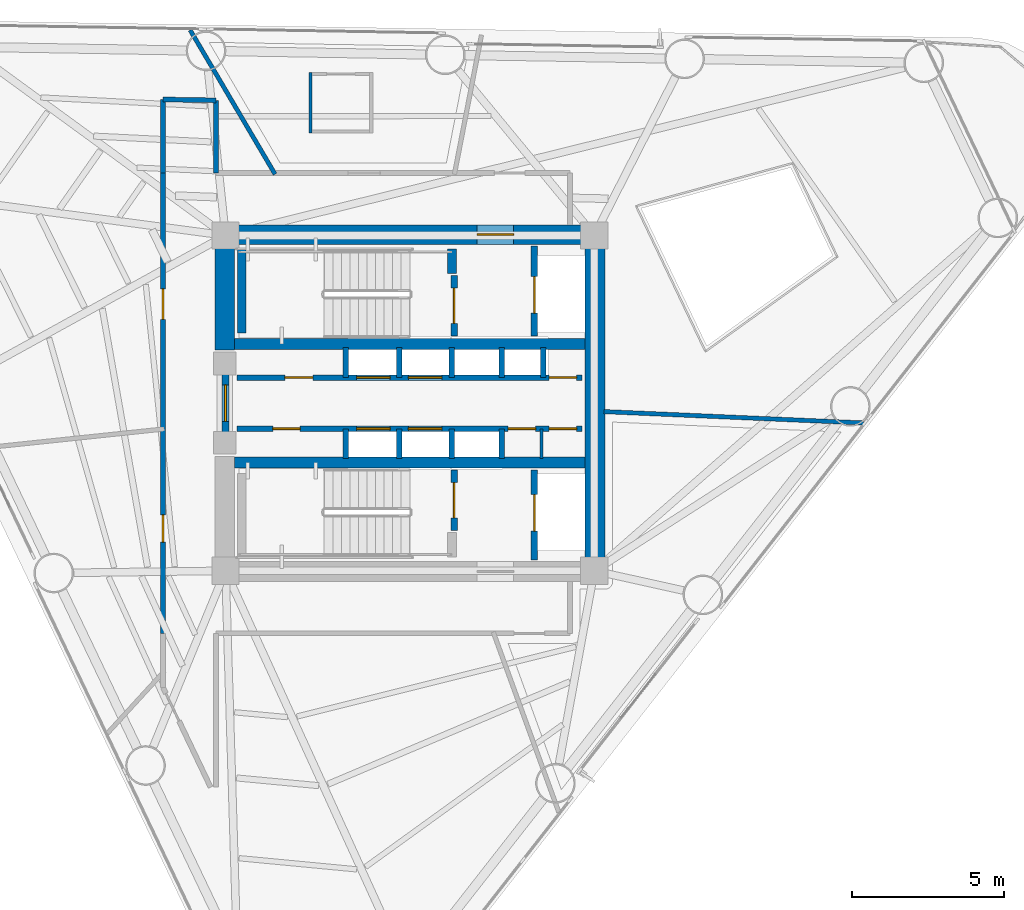
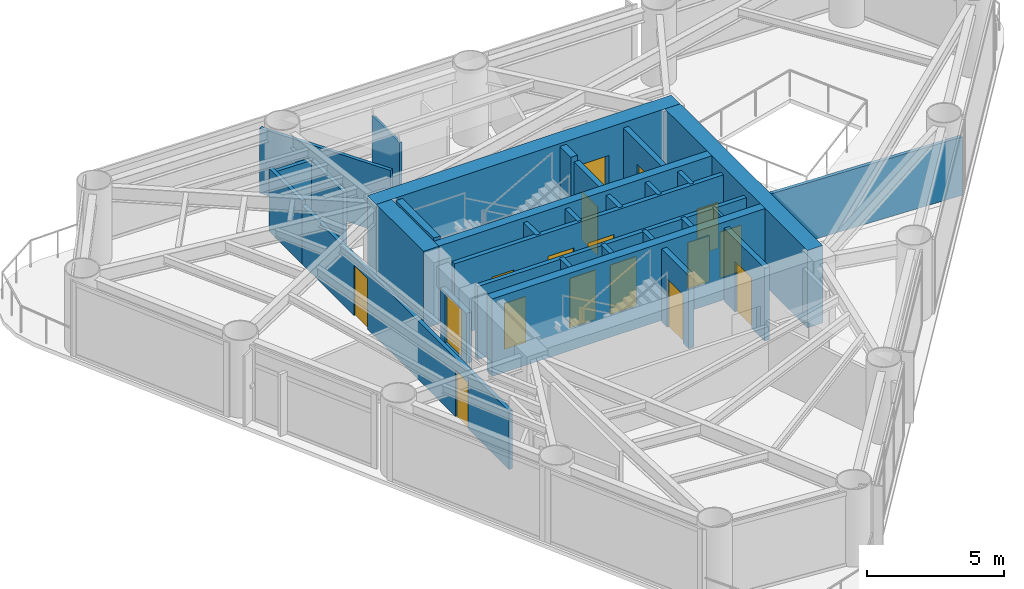
# One storey, part 6 of 10: 31 walls, 17 doors, 17 openings.
"""IFC4 building model written with IfcOpenShell, lengths in metres."""

import ifcopenshell
import ifcopenshell.guid

model = None  # the IFC model being written
_history = None  # IfcOwnerHistory: only IFC2X3 demands one
_inside = {}  # id of a spatial element -> (the spatial element, [elements in it])
_under = {}  # id of a project, library or spatial element -> (it, [spatial elements below it])
_declared = {}  # id of a project -> (the project, [libraries it declares])
_typed = {}  # id of a type object -> (the type object, [elements of that type])
_made_of = {}  # id of a material, layer set ... -> (it, [elements and type objects made of it])


def new_model(schema):
    """Start an empty IFC model of exactly this schema.

    Asked for "IFC4X3", IfcOpenShell would pick the latest addendum, in which some entities
    have other attributes; the version numbers below select the first issue.
    IFC2X3 requires an IfcOwnerHistory on every rooted entity: one is made here for all.
    """
    global model, _history
    if schema == "IFC4X3":
        model = ifcopenshell.file(schema_version=(4, 3, 0, 0))
    else:
        model = ifcopenshell.file(schema=schema)
    _inside.clear()
    _under.clear()
    _declared.clear()
    _typed.clear()
    _made_of.clear()
    _history = None
    if model.schema == "IFC2X3":
        org = make("IfcOrganization", Name="unknown")
        user = make(
            "IfcPersonAndOrganization",
            ThePerson=make("IfcPerson", FamilyName="unknown"),
            TheOrganization=org,
        )
        app = make(
            "IfcApplication",
            ApplicationDeveloper=org,
            Version="unknown",
            ApplicationFullName="unknown",
            ApplicationIdentifier="unknown",
        )
        _history = make(
            "IfcOwnerHistory",
            OwningUser=user,
            OwningApplication=app,
            ChangeAction="ADDED",
            CreationDate=0,
        )
    return model


def make(cls, **values):
    """One entity of the class cls with the attributes given. An attribute that is None is left unset."""
    return model.create_entity(
        cls, **{name: value for name, value in values.items() if value is not None}
    )


def rooted(cls, **values):
    """An entity with a GlobalId (a new one), such as an element, a storey or a relation."""
    return make(cls, GlobalId=ifcopenshell.guid.new(), OwnerHistory=_history, **values)


def si_unit(unit_type, name, prefix=None):
    """IfcSIUnit, for example si_unit("LENGTHUNIT", "METRE", prefix="MILLI")."""
    return make("IfcSIUnit", UnitType=unit_type, Prefix=prefix, Name=name)


def assignment(units):
    """IfcUnitAssignment: the units of a project."""
    return None if units is None else make("IfcUnitAssignment", Units=units)


def point(xyz):
    """IfcCartesianPoint."""
    return None if xyz is None else make("IfcCartesianPoint", Coordinates=xyz)


def direction(xyz):
    """IfcDirection."""
    return None if xyz is None else make("IfcDirection", DirectionRatios=xyz)


def frame(location, z_axis=None, x_axis=None):
    """IfcAxis2Placement3D, a coordinate frame: its origin and axes. An axis left out is left unset."""
    return make(
        "IfcAxis2Placement3D",
        Location=point(location),
        Axis=direction(z_axis),
        RefDirection=direction(x_axis),
    )


def frame_2d(location, x_axis=None):
    """IfcAxis2Placement2D, a coordinate frame in the plane: its origin and x axis."""
    return make(
        "IfcAxis2Placement2D", Location=point(location), RefDirection=direction(x_axis)
    )


def origin():
    """The frame at (0, 0, 0) with its axes left unset."""
    return frame((0.0, 0.0, 0.0))


def place(relative_to, where):
    """IfcLocalPlacement: puts the frame where relative to a parent placement (None: the world)."""
    return make(
        "IfcLocalPlacement", PlacementRelTo=relative_to, RelativePlacement=where
    )


def context(
    kind, dimensions, precision=None, world=None, true_north=None, identifier=None
):
    """IfcGeometricRepresentationContext, for example the 3D "Model" context."""
    return make(
        "IfcGeometricRepresentationContext",
        ContextIdentifier=identifier,
        ContextType=kind,
        CoordinateSpaceDimension=dimensions,
        Precision=precision,
        WorldCoordinateSystem=world,
        TrueNorth=true_north,
    )


def subcontext(parent, identifier, kind, view, scale=None):
    """IfcGeometricRepresentationSubContext, for example "Body" below "Model"."""
    return make(
        "IfcGeometricRepresentationSubContext",
        ContextIdentifier=identifier,
        ContextType=kind,
        ParentContext=parent,
        TargetScale=scale,
        TargetView=view,
    )


def project(units=None, contexts=None):
    """IfcProject with its units and contexts."""
    return rooted(
        "IfcProject",
        Name="project",
        RepresentationContexts=contexts,
        UnitsInContext=assignment(units),
    )


def spatial(cls, under=None, at=None, **own):
    """A site, building, storey or space (cls), placed at a placement, below another one or the project."""
    s = rooted(cls, ObjectPlacement=at, **own)
    if under is not None:
        _under.setdefault(under.id(), (under, []))[1].append(s)
    return s


def profile(cls, at=None, kind="AREA", **sizes):
    """A parametric profile (cls). Its sizes go by their IFC names, for example OverallWidth=200.0."""
    return make(cls, ProfileType=kind, Position=at, **sizes)


def rectangle(**sizes):
    """IfcRectangleProfileDef."""
    return profile("IfcRectangleProfileDef", **sizes)


def extrude(swept, where, along, depth):
    """IfcExtrudedAreaSolid: the profile swept, set in the frame where, extruded along a direction by depth."""
    return make(
        "IfcExtrudedAreaSolid",
        SweptArea=swept,
        Position=where,
        ExtrudedDirection=direction(along),
        Depth=depth,
    )


def shape(context_of_items, identifier, shape_type, items):
    """IfcShapeRepresentation: the items that make up one representation, for example the "Body"."""
    return make(
        "IfcShapeRepresentation",
        ContextOfItems=context_of_items,
        RepresentationIdentifier=identifier,
        RepresentationType=shape_type,
        Items=items,
    )


def material(Name=None, Category=None):
    """IfcMaterial."""
    return make("IfcMaterial", Name=Name, Category=Category)


def layer(
    of_material, thickness, ventilated=None, Name=None, Category=None, Priority=None
):
    """IfcMaterialLayer: one layer of a wall or slab, of a material (None: an air gap)."""
    return make(
        "IfcMaterialLayer",
        Material=of_material,
        LayerThickness=thickness,
        IsVentilated=ventilated,
        Name=Name,
        Category=Category,
        Priority=Priority,
    )


def layer_set(layers, Name=None):
    """IfcMaterialLayerSet."""
    return make("IfcMaterialLayerSet", MaterialLayers=layers, LayerSetName=Name)


def made_of(thing, what):
    """Note that an element or type object is made of a material, layer set ...; save() writes the relation."""
    if what is not None:
        _made_of.setdefault(what.id(), (what, []))[1].append(thing)
    return thing


def type_object(cls, material=None, **own):
    """A type object (cls), such as IfcWallType, which elements share."""
    return made_of(rooted(cls, **own), material)


def element(
    cls,
    number,
    at=None,
    inside=None,
    cuts=None,
    type_object=None,
    material=None,
    context=None,
    identifier="Body",
    shape_type=None,
    held_by="IfcProductDefinitionShape",
    body=None,
    shapes=None,
    **own,
):
    """One element of the class cls, such as IfcWall. Its Tag is "e" and its number.

    at: its placement. inside: the storey or other place that contains it. cuts: it is an
    opening in that element (IfcRelVoidsElement). A single representation is given by context,
    identifier, shape_type and body (its items); several are given by shapes. held_by: the class
    of the entity that holds the representations. save() writes the other relations.
    """
    e = rooted(cls, Tag="e%d" % number, ObjectPlacement=at, **own)
    if body is not None:
        shapes = [shape(context, identifier, shape_type, body)]
    if shapes is not None:
        e.Representation = make(held_by, Representations=shapes)
    if inside is not None:
        _inside.setdefault(inside.id(), (inside, []))[1].append(e)
    if cuts is not None:
        rooted(
            "IfcRelVoidsElement", RelatingBuildingElement=cuts, RelatedOpeningElement=e
        )
    if type_object is not None:
        _typed.setdefault(type_object.id(), (type_object, []))[1].append(e)
    return made_of(e, material)


def fill(opening, filler):
    """IfcRelFillsElement: the door or window that sits in an opening."""
    return rooted(
        "IfcRelFillsElement",
        RelatingOpeningElement=opening,
        RelatedBuildingElement=filler,
    )


def aggregate(whole, parts):
    """IfcRelAggregates: a whole, such as a stair, and the parts it consists of."""
    return rooted("IfcRelAggregates", RelatingObject=whole, RelatedObjects=parts)


def save(model, path):
    """Write the relations noted so far, then the file.

    IfcRelAggregates (storeys below a building ...), IfcRelContainedInSpatialStructure (elements
    in a storey), IfcRelDefinesByType, IfcRelAssociatesMaterial and IfcRelDeclares: one each for
    every whole, place, type object, material and project.
    """
    for whole, parts in _under.values():
        aggregate(whole, parts)
    for where, things in _inside.values():
        rooted(
            "IfcRelContainedInSpatialStructure",
            RelatedElements=things,
            RelatingStructure=where,
        )
    for kind, things in _typed.values():
        rooted("IfcRelDefinesByType", RelatedObjects=things, RelatingType=kind)
    for what, things in _made_of.values():
        rooted("IfcRelAssociatesMaterial", RelatedObjects=things, RelatingMaterial=what)
    for by, libraries in _declared.values():
        rooted("IfcRelDeclares", RelatingContext=by, RelatedDefinitions=libraries)
    model.write(path)


model = new_model("IFC4")

# Units and contexts
model_context = context("Model", 3, precision=1e-05, world=origin(), true_north=direction((0.0, 1.0)))
body_context = subcontext(model_context, "Body", "Model", "MODEL_VIEW")
ifc_project = project(units=[si_unit("LENGTHUNIT", "METRE"), si_unit("AREAUNIT", "SQUARE_METRE"), si_unit("VOLUMEUNIT", "CUBIC_METRE"), si_unit("PLANEANGLEUNIT", "RADIAN"), si_unit("MASSUNIT", "GRAM", prefix="KILO")], contexts=[model_context])

# Site, building, storey
site_placement = place(None, origin())
site = spatial("IfcSite", under=ifc_project, at=site_placement, CompositionType="ELEMENT")
building_placement = place(site_placement, origin())
building = spatial("IfcBuilding", under=site, at=building_placement, Name="Yunling Apex Tower", CompositionType="ELEMENT")
storey_placement = place(building_placement, frame((0.0, 0.0, 129.5)))
storey = spatial("IfcBuildingStorey", under=building, at=storey_placement, Name="L31", CompositionType="ELEMENT", Elevation=129.5)

# Wall, opening, door
ifc_material_1 = material(Name="Concrete C50", Category="concrete")
ifc_layer_1 = layer(ifc_material_1, 0.64990234375)
ifc_layer_set_1 = layer_set([ifc_layer_1], Name="Concrete C50")
wall_type_1 = type_object("IfcWallType", Name="WL-COR-2", PredefinedType="SHEAR", material=ifc_layer_set_1)
wall_1_placement = place(storey_placement, frame((-6.39990234375, 5.52490234375, 0.0), z_axis=(0.0, 0.0, 1.0), x_axis=(1.0, 0.0, 0.0)))
wall_1 = element("IfcWall", 1, at=wall_1_placement, inside=storey, type_object=wall_type_1, Name="L31 North Core Shear Wall", PredefinedType="SHEAR", context=body_context, shape_type="SweptSolid", body=[
    extrude(rectangle(XDim=12.7998046875, YDim=0.64990234375, at=frame_2d((6.39990234375, 0.0))), origin(), (0.0, 0.0, 1.0), 3.449951171875),
])
opening_1_placement = place(wall_1_placement, frame((8.60009765625, 0.0, 0.0)))
opening_1 = element("IfcOpeningElement", 2, at=opening_1_placement, cuts=wall_1, Name="Opening DR-FFL-1", PredefinedType="OPENING", context=body_context, shape_type="SweptSolid", body=[
    extrude(rectangle(XDim=1.199951171875, YDim=2.199951171875, at=frame_2d((0.60009765625, 1.10009765625))), frame((0.0, 0.3349609375, 0.0), z_axis=(0.0, -1.0, 0.0), x_axis=(1.0, 0.0, 0.0)), (0.0, 0.0, 1.0), 0.669921875),
])
ifc_material_2 = material(Name="Steel Q355B", Category="steel")
door_type_1 = type_object("IfcDoorType", Name="DR-FFL-1", OperationType="NOTDEFINED", PredefinedType="DOOR", material=ifc_material_2)
door_1_placement = place(opening_1_placement, origin())
door_1 = element("IfcDoor", 3, at=door_1_placement, inside=storey, type_object=door_type_1, Name="L31 North Firefighting Lobby Door", OperationType="SINGLE_SWING_LEFT", OverallHeight=2.199951171875, OverallWidth=1.199951171875, PredefinedType="DOOR", context=body_context, shape_type="SweptSolid", body=[
    extrude(rectangle(XDim=1.199951171875, YDim=2.199951171875, at=frame_2d((0.60009765625, 1.10009765625))), frame((0.0, 0.02490234375, 0.0), z_axis=(0.0, -1.0, 0.0), x_axis=(1.0, 0.0, 0.0)), (0.0, 0.0, 1.0), 0.050048828125),
])
fill(opening_1, door_1)

# Walls
wall_2_placement = place(storey_placement, frame((6.074951171875, -5.199951171875, 0.0), z_axis=(0.0, 0.0, 1.0), x_axis=(0.0, 1.0, 0.0)))
element("IfcWall", 4, at=wall_2_placement, inside=storey, type_object=wall_type_1, Name="L31 East Core Shear Wall", PredefinedType="SHEAR", context=body_context, shape_type="SweptSolid", body=[
    extrude(rectangle(XDim=10.39990234375, YDim=0.64990234375, at=frame_2d((5.199951171875, 0.0))), origin(), (0.0, 0.0, 1.0), 3.449951171875),
])
wall_3_placement = place(storey_placement, frame((-6.074951171875, 1.75, 0.0), z_axis=(0.0, 0.0, 1.0), x_axis=(0.0, 1.0, 0.0)))
element("IfcWall", 5, at=wall_3_placement, inside=storey, type_object=wall_type_1, Name="L31 West-North Core Shear Wall", PredefinedType="SHEAR", context=body_context, shape_type="SweptSolid", body=[
    extrude(rectangle(XDim=3.449951171875, YDim=0.64990234375, at=frame_2d((1.72509765625, 0.0))), origin(), (0.0, 0.0, 1.0), 3.449951171875),
])
ifc_material_3 = material(Name="Concrete C40", Category="concrete")
ifc_layer_2 = layer(ifc_material_3, 0.360107421875)
ifc_layer_set_2 = layer_set([ifc_layer_2], Name="Concrete C40")
wall_type_2 = type_object("IfcWallType", Name="WL-COR-4", PredefinedType="SHEAR", material=ifc_layer_set_2)
for number, where, z_axis, x_axis, name in (
    (6, (-5.75, 1.93994140625, 0.0), (0.0, 0.0, 1.0), (1.0, 0.0, 0.0), "L31 North Internal Core Shear Wall"),
    (7, (-5.75, -1.93994140625, 0.0), (0.0, 0.0, 1.0), (1.0, 0.0, 0.0), "L31 South Internal Core Shear Wall"),
):
    element("IfcWall", number, at=place(storey_placement, frame(where, z_axis=z_axis, x_axis=x_axis)), inside=storey, type_object=wall_type_2, Name=name, PredefinedType="SHEAR", context=body_context, shape_type="SweptSolid", body=[
        extrude(rectangle(XDim=11.5, YDim=0.360107421875, at=frame_2d((5.75, 0.0))), origin(), (0.0, 0.0, 1.0), 3.449951171875),
    ])
ifc_layer_3 = layer(ifc_material_3, 0.280029296875)
ifc_layer_set_3 = layer_set([ifc_layer_3], Name="Concrete C40")
wall_type_3 = type_object("IfcWallType", Name="WL-COR-8", PredefinedType="SHEAR", material=ifc_layer_set_3)
wall_4_placement = place(storey_placement, frame((-5.52001953125, 2.300048828125, 0.0), z_axis=(0.0, 0.0, 1.0), x_axis=(0.0, 1.0, 0.0)))
element("IfcWall", 8, at=wall_4_placement, inside=storey, type_object=wall_type_3, Name="L31 ST-1 West Landing Bearing Wall", PredefinedType="SHEAR", context=body_context, shape_type="SweptSolid", body=[
    extrude(rectangle(XDim=2.75, YDim=0.280029296875, at=frame_2d((1.375, 0.0))), origin(), (0.0, 0.0, 1.0), 3.449951171875),
])
wall_5_placement = place(storey_placement, frame((1.3798828125, 4.25, 0.0), z_axis=(0.0, 0.0, 1.0), x_axis=(0.0, 1.0, 0.0)))
element("IfcWall", 9, at=wall_5_placement, inside=storey, type_object=wall_type_3, Name="L31 ST-1 East Landing Bearing Pier", PredefinedType="SHEAR", context=body_context, shape_type="SweptSolid", body=[
    extrude(rectangle(XDim=0.800048828125, YDim=0.280029296875, at=frame_2d((0.39990234375, 0.0))), origin(), (0.0, 0.0, 1.0), 3.449951171875),
])

# Wall, openings, doors
ifc_material_4 = material(Name="Gypsum board acoustic partition")
ifc_layer_4 = layer(ifc_material_4, 0.159912109375)
ifc_layer_set_4 = layer_set([ifc_layer_4], Name="Gypsum board acoustic partition")
wall_type_4 = type_object("IfcWallType", Name="WL-PRT-1", PredefinedType="PARTITIONING", material=ifc_layer_set_4)
wall_6_placement = place(storey_placement, frame((-8.10009765625, -7.550048828125, 0.0), z_axis=(0.0, 0.0, 1.0), x_axis=(0.0, 1.0, 0.0)))
wall_6 = element("IfcWall", 10, at=wall_6_placement, inside=storey, type_object=wall_type_4, Name="WL-CORR-L31-03", PredefinedType="PARTITIONING", context=body_context, shape_type="SweptSolid", body=[
    extrude(rectangle(XDim=15.10009765625, YDim=0.159912109375, at=frame_2d((7.550048828125, 0.0))), origin(), (0.0, 0.0, 1.0), 2.60498046875),
])
opening_2_placement = place(wall_6_placement, frame((2.989013671875, 0.0, 0.0)))
opening_2 = element("IfcOpeningElement", 11, at=opening_2_placement, cuts=wall_6, Name="Opening DR-SHF-1", PredefinedType="OPENING", context=body_context, shape_type="SweptSolid", body=[
    extrude(rectangle(XDim=0.89990234375, YDim=2.050048828125, at=frame_2d((0.449951171875, 1.02490234375))), frame((0.0, 0.08984375, 0.0), z_axis=(0.0, -1.0, 0.0), x_axis=(1.0, 0.0, 0.0)), (0.0, 0.0, 1.0), 0.179931640625),
])
opening_3_placement = place(wall_6_placement, frame((10.30126953125, 0.0, 0.0)))
opening_3 = element("IfcOpeningElement", 12, at=opening_3_placement, cuts=wall_6, Name="Opening DR-OFF-1", PredefinedType="OPENING", context=body_context, shape_type="SweptSolid", body=[
    extrude(rectangle(XDim=1.0, YDim=2.25, at=frame_2d((0.5, 1.125))), frame((0.0, 0.08984375, 0.0), z_axis=(0.0, -1.0, 0.0), x_axis=(1.0, 0.0, 0.0)), (0.0, 0.0, 1.0), 0.179931640625),
])
ifc_material_5 = material(Name="Bronze anodised aluminium", Category="aluminium")
door_type_2 = type_object("IfcDoorType", Name="DR-OFF-1", OperationType="NOTDEFINED", PredefinedType="DOOR", material=ifc_material_5)
door_2_placement = place(opening_3_placement, origin())
door_2 = element("IfcDoor", 13, at=door_2_placement, inside=storey, type_object=door_type_2, Name="L31 Club Lounge Door", OperationType="SINGLE_SWING_RIGHT", OverallHeight=2.25, OverallWidth=1.0, PredefinedType="DOOR", context=body_context, shape_type="SweptSolid", body=[
    extrude(rectangle(XDim=1.0, YDim=2.25, at=frame_2d((0.5, 1.125))), frame((0.0, 0.02490234375, 0.0), z_axis=(0.0, -1.0, 0.0), x_axis=(1.0, 0.0, 0.0)), (0.0, 0.0, 1.0), 0.050048828125),
])
fill(opening_3, door_2)
door_type_3 = type_object("IfcDoorType", Name="DR-SHF-1", OperationType="NOTDEFINED", PredefinedType="DOOR", material=ifc_material_2)
door_3_placement = place(opening_2_placement, origin())
door_3 = element("IfcDoor", 14, at=door_3_placement, inside=storey, type_object=door_type_3, Name="L31 Housekeeping Room Door", OperationType="SINGLE_SWING_LEFT", OverallHeight=2.050048828125, OverallWidth=0.89990234375, PredefinedType="DOOR", context=body_context, shape_type="SweptSolid", body=[
    extrude(rectangle(XDim=0.89990234375, YDim=2.050048828125, at=frame_2d((0.449951171875, 1.02490234375))), frame((0.0, 0.02490234375, 0.0), z_axis=(0.0, -1.0, 0.0), x_axis=(1.0, 0.0, 0.0)), (0.0, 0.0, 1.0), 0.050048828125),
])
fill(opening_2, door_3)

# Walls
wall_7_placement = place(storey_placement, frame((-8.10009765625, 7.550048828125, 0.0), z_axis=(0.0, 0.0, 1.0), x_axis=(0.0, 1.0, 0.0)))
element("IfcWall", 15, at=wall_7_placement, inside=storey, type_object=wall_type_4, Name="WL-CORR-L31-04", PredefinedType="PARTITIONING", context=body_context, shape_type="SweptSolid", body=[
    extrude(rectangle(XDim=2.411865234375, YDim=0.159912109375, at=frame_2d((1.2060546875, 0.0))), origin(), (0.0, 0.0, 1.0), 2.804931640625),
])
wall_8_placement = place(storey_placement, frame((-8.10009765625, 9.9619140625, 0.0), z_axis=(0.0, 0.0, 1.0), x_axis=(0.999858281466, -0.016834992813, 0.0)))
element("IfcWall", 16, at=wall_8_placement, inside=storey, type_object=wall_type_4, Name="WL-CORR-L31-05", PredefinedType="PARTITIONING", context=body_context, shape_type="SweptSolid", body=[
    extrude(rectangle(XDim=1.740234375, YDim=0.159912109375, at=frame_2d((0.8701171875, 0.0))), origin(), (0.0, 0.0, 1.0), 2.60498046875),
])
wall_9_placement = place(storey_placement, frame((-6.360107421875, 9.9326171875, 0.0), z_axis=(0.0, 0.0, 1.0), x_axis=(0.0, -1.0, 0.0)))
element("IfcWall", 17, at=wall_9_placement, inside=storey, type_object=wall_type_4, Name="WL-CORR-L31-06", PredefinedType="PARTITIONING", context=body_context, shape_type="SweptSolid", body=[
    extrude(rectangle(XDim=2.382568359375, YDim=0.159912109375, at=frame_2d((1.19140625, 0.0))), origin(), (0.0, 0.0, 1.0), 2.60498046875),
])
ifc_layer_5 = layer(ifc_material_4, 0.139892578125)
ifc_layer_set_5 = layer_set([ifc_layer_5], Name="Gypsum board acoustic partition")
wall_type_5 = type_object("IfcWallType", Name="WL-PRT-2", PredefinedType="PARTITIONING", material=ifc_layer_set_5)
wall_10_placement = place(storey_placement, frame((6.360107421875, -0.277587890625, 0.0), z_axis=(0.0, 0.0, 1.0), x_axis=(0.999047707238, -0.043631166178, 0.0)))
element("IfcWall", 18, at=wall_10_placement, inside=storey, type_object=wall_type_5, Name="WL-RAD-L31-01", PredefinedType="PARTITIONING", context=body_context, shape_type="SweptSolid", body=[
    extrude(rectangle(XDim=8.52197265625, YDim=0.139892578125, at=frame_2d((4.260986328125, 0.0))), origin(), (0.0, 0.0, 1.0), 2.60498046875),
])
wall_11_placement = place(storey_placement, frame((-4.423583984375, 7.510009765625, 0.0), z_axis=(0.0, 0.0, 1.0), x_axis=(-0.507548978892, 0.861622907092, 0.0)))
element("IfcWall", 19, at=wall_11_placement, inside=storey, type_object=wall_type_5, Name="WL-RAD-L31-03", PredefinedType="PARTITIONING", context=body_context, shape_type="SweptSolid", body=[
    extrude(rectangle(XDim=5.486572265625, YDim=0.139892578125, at=frame_2d((2.7431640625, 0.0))), origin(), (0.0, 0.0, 1.0), 2.905029296875),
])
ifc_layer_6 = layer(ifc_material_4, 0.10009765625)
ifc_layer_set_6 = layer_set([ifc_layer_6], Name="Gypsum board acoustic partition")
wall_type_6 = type_object("IfcWallType", Name="WL-PRT-4", PredefinedType="PARTITIONING", material=ifc_layer_set_6)
wall_12_placement = place(storey_placement, frame((4.31005859375, -1.820068359375, 0.0), z_axis=(0.0, 0.0, 1.0), x_axis=(0.0, 1.0, 0.0)))
element("IfcWall", 20, at=wall_12_placement, inside=storey, type_object=wall_type_6, Name="WL-KCDIV-L31", PredefinedType="PARTITIONING", context=body_context, shape_type="SweptSolid", body=[
    extrude(rectangle(XDim=0.97998046875, YDim=0.10009765625, at=frame_2d((0.489990234375, 0.0))), origin(), (0.0, 0.0, 1.0), 3.25),
])
wall_13_placement = place(storey_placement, frame((-3.26806640625, 8.85498046875, 0.0), z_axis=(0.0, 0.0, 1.0), x_axis=(0.0, 1.0, 0.0)))
element("IfcWall", 21, at=wall_13_placement, inside=storey, type_object=wall_type_6, Name="WL-ENS-L31-5W", PredefinedType="PARTITIONING", context=body_context, shape_type="SweptSolid", body=[
    extrude(rectangle(XDim=2.0, YDim=0.10009765625, at=frame_2d((1.0, 0.0))), origin(), (0.0, 0.0, 1.0), 2.905029296875),
])

# Wall, opening, door
ifc_material_6 = material(Name="Autoclaved aerated concrete masonry", Category="masonry")
ifc_layer_7 = layer(ifc_material_6, 0.219970703125)
ifc_layer_set_7 = layer_set([ifc_layer_7], Name="Autoclaved aerated concrete masonry")
wall_type_7 = type_object("IfcWallType", Name="WL-SHF-1", PredefinedType="PLUMBINGWALL", material=ifc_layer_set_7)
wall_14_placement = place(storey_placement, frame((-6.050048828125, -0.949951171875, 0.0), z_axis=(0.0, 0.0, 1.0), x_axis=(0.0, 1.0, 0.0)))
wall_14 = element("IfcWall", 22, at=wall_14_placement, inside=storey, type_object=wall_type_7, Name="WL-COR-WPORT-L31", PredefinedType="PLUMBINGWALL", context=body_context, shape_type="SweptSolid", body=[
    extrude(rectangle(XDim=1.89990234375, YDim=0.219970703125, at=frame_2d((0.949951171875, 0.0))), origin(), (0.0, 0.0, 1.0), 2.22998046875),
])
opening_4_placement = place(wall_14_placement, frame((0.35009765625, 0.0, 0.0)))
opening_4 = element("IfcOpeningElement", 23, at=opening_4_placement, cuts=wall_14, Name="Opening DR-FFL-1", PredefinedType="OPENING", context=body_context, shape_type="SweptSolid", body=[
    extrude(rectangle(XDim=1.199951171875, YDim=2.199951171875, at=frame_2d((0.60009765625, 1.10009765625))), frame((0.0, 0.1201171875, 0.0), z_axis=(0.0, -1.0, 0.0), x_axis=(1.0, 0.0, 0.0)), (0.0, 0.0, 1.0), 0.239990234375),
])
door_4_placement = place(opening_4_placement, origin())
door_4 = element("IfcDoor", 24, at=door_4_placement, inside=storey, type_object=door_type_1, Name="L31 Passenger Lift Lobby Entrance Door", OperationType="SINGLE_SWING_RIGHT", OverallHeight=2.199951171875, OverallWidth=1.199951171875, PredefinedType="DOOR", context=body_context, shape_type="SweptSolid", body=[
    extrude(rectangle(XDim=1.199951171875, YDim=2.199951171875, at=frame_2d((0.60009765625, 1.10009765625))), frame((0.0, 0.02490234375, 0.0), z_axis=(0.0, -1.0, 0.0), x_axis=(1.0, 0.0, 0.0)), (0.0, 0.0, 1.0), 0.050048828125),
])
fill(opening_4, door_4)

wall_15_placement = place(storey_placement, frame((1.449951171875, 2.199951171875, 0.0), z_axis=(0.0, 0.0, 1.0), x_axis=(0.0, 1.0, 0.0)))
wall_15 = element("IfcWall", 25, at=wall_15_placement, inside=storey, type_object=wall_type_7, Name="WL-ST1-E-L31", PredefinedType="PLUMBINGWALL", context=body_context, shape_type="SweptSolid", body=[
    extrude(rectangle(XDim=1.97998046875, YDim=0.219970703125, at=frame_2d((0.989990234375, 0.0))), origin(), (0.0, 0.0, 1.0), 3.25),
])
opening_5_placement = place(wall_15_placement, frame((0.419921875, 0.0, 0.0)))
opening_5 = element("IfcOpeningElement", 26, at=opening_5_placement, cuts=wall_15, Name="Opening DR-ST-1", PredefinedType="OPENING", context=body_context, shape_type="SweptSolid", body=[
    extrude(rectangle(XDim=1.14990234375, YDim=2.14990234375, at=frame_2d((0.574951171875, 1.074951171875))), frame((0.0, 0.1201171875, 0.0), z_axis=(0.0, -1.0, 0.0), x_axis=(1.0, 0.0, 0.0)), (0.0, 0.0, 1.0), 0.239990234375),
])
door_type_4 = type_object("IfcDoorType", Name="DR-ST-1", OperationType="NOTDEFINED", PredefinedType="DOOR", material=ifc_material_2)
door_5_placement = place(opening_5_placement, origin())
door_5 = element("IfcDoor", 27, at=door_5_placement, inside=storey, type_object=door_type_4, Name="L31 Stair ST-1 Fire Door", OperationType="SINGLE_SWING_RIGHT", OverallHeight=2.14990234375, OverallWidth=1.14990234375, PredefinedType="DOOR", context=body_context, shape_type="SweptSolid", body=[
    extrude(rectangle(XDim=1.14990234375, YDim=2.14990234375, at=frame_2d((0.574951171875, 1.074951171875))), frame((0.0, 0.02490234375, 0.0), z_axis=(0.0, -1.0, 0.0), x_axis=(1.0, 0.0, 0.0)), (0.0, 0.0, 1.0), 0.050048828125),
])
fill(opening_5, door_5)

wall_16_placement = place(storey_placement, frame((4.080078125, 2.199951171875, 0.0), z_axis=(0.0, 0.0, 1.0), x_axis=(0.0, 1.0, 0.0)))
wall_16 = element("IfcWall", 28, at=wall_16_placement, inside=storey, type_object=wall_type_7, Name="WL-FFL1-W-L31", PredefinedType="PLUMBINGWALL", context=body_context, shape_type="SweptSolid", body=[
    extrude(rectangle(XDim=2.949951171875, YDim=0.219970703125, at=frame_2d((1.47509765625, 0.0))), origin(), (0.0, 0.0, 1.0), 3.25),
])
opening_6_placement = place(wall_16_placement, frame((0.75, 0.0, 0.0)))
opening_6 = element("IfcOpeningElement", 29, at=opening_6_placement, cuts=wall_16, Name="Opening LD-FFL-1", PredefinedType="OPENING", context=body_context, shape_type="SweptSolid", body=[
    extrude(rectangle(XDim=1.199951171875, YDim=2.25, at=frame_2d((0.60009765625, 1.125))), frame((0.0, 0.1201171875, 0.0), z_axis=(0.0, -1.0, 0.0), x_axis=(1.0, 0.0, 0.0)), (0.0, 0.0, 1.0), 0.239990234375),
])
door_type_5 = type_object("IfcDoorType", Name="LD-FFL-1", OperationType="DOUBLE_DOOR_SLIDING", PredefinedType="DOOR", material=ifc_material_2)
door_6_placement = place(opening_6_placement, origin())
door_6 = element("IfcDoor", 30, at=door_6_placement, inside=storey, type_object=door_type_5, Name="L31 Lift FFL-1 Landing Door", OperationType="DOUBLE_DOOR_SLIDING", OverallHeight=2.25, OverallWidth=1.199951171875, PredefinedType="DOOR", context=body_context, shape_type="SweptSolid", body=[
    extrude(rectangle(XDim=1.199951171875, YDim=2.25, at=frame_2d((0.60009765625, 1.125))), frame((0.0, 0.02490234375, 0.0), z_axis=(0.0, -1.0, 0.0), x_axis=(1.0, 0.0, 0.0)), (0.0, 0.0, 1.0), 0.050048828125),
])
fill(opening_6, door_6)

wall_17_placement = place(storey_placement, frame((1.449951171875, -4.179931640625, 0.0), z_axis=(0.0, 0.0, 1.0), x_axis=(0.0, 1.0, 0.0)))
wall_17 = element("IfcWall", 31, at=wall_17_placement, inside=storey, type_object=wall_type_7, Name="WL-ST2-E-L31", PredefinedType="PLUMBINGWALL", context=body_context, shape_type="SweptSolid", body=[
    extrude(rectangle(XDim=1.97998046875, YDim=0.219970703125, at=frame_2d((0.989990234375, 0.0))), origin(), (0.0, 0.0, 1.0), 3.25),
])
opening_7_placement = place(wall_17_placement, frame((0.419921875, 0.0, 0.0)))
opening_7 = element("IfcOpeningElement", 32, at=opening_7_placement, cuts=wall_17, Name="Opening DR-ST-1", PredefinedType="OPENING", context=body_context, shape_type="SweptSolid", body=[
    extrude(rectangle(XDim=1.14990234375, YDim=2.14990234375, at=frame_2d((0.574951171875, 1.074951171875))), frame((0.0, 0.1201171875, 0.0), z_axis=(0.0, -1.0, 0.0), x_axis=(1.0, 0.0, 0.0)), (0.0, 0.0, 1.0), 0.239990234375),
])
door_7_placement = place(opening_7_placement, origin())
door_7 = element("IfcDoor", 33, at=door_7_placement, inside=storey, type_object=door_type_4, Name="L31 Stair ST-2 Fire Door", OperationType="SINGLE_SWING_LEFT", OverallHeight=2.14990234375, OverallWidth=1.14990234375, PredefinedType="DOOR", context=body_context, shape_type="SweptSolid", body=[
    extrude(rectangle(XDim=1.14990234375, YDim=2.14990234375, at=frame_2d((0.574951171875, 1.074951171875))), frame((0.0, 0.02490234375, 0.0), z_axis=(0.0, -1.0, 0.0), x_axis=(1.0, 0.0, 0.0)), (0.0, 0.0, 1.0), 0.050048828125),
])
fill(opening_7, door_7)

wall_18_placement = place(storey_placement, frame((4.080078125, -5.14990234375, 0.0), z_axis=(0.0, 0.0, 1.0), x_axis=(0.0, 1.0, 0.0)))
wall_18 = element("IfcWall", 34, at=wall_18_placement, inside=storey, type_object=wall_type_7, Name="WL-FFL2-W-L31", PredefinedType="PLUMBINGWALL", context=body_context, shape_type="SweptSolid", body=[
    extrude(rectangle(XDim=2.949951171875, YDim=0.219970703125, at=frame_2d((1.47509765625, 0.0))), origin(), (0.0, 0.0, 1.0), 3.25),
])
opening_8_placement = place(wall_18_placement, frame((0.949951171875, 0.0, 0.0)))
opening_8 = element("IfcOpeningElement", 35, at=opening_8_placement, cuts=wall_18, Name="Opening LD-FFL-1", PredefinedType="OPENING", context=body_context, shape_type="SweptSolid", body=[
    extrude(rectangle(XDim=1.199951171875, YDim=2.25, at=frame_2d((0.60009765625, 1.125))), frame((0.0, 0.1201171875, 0.0), z_axis=(0.0, -1.0, 0.0), x_axis=(1.0, 0.0, 0.0)), (0.0, 0.0, 1.0), 0.239990234375),
])
door_8_placement = place(opening_8_placement, origin())
door_8 = element("IfcDoor", 36, at=door_8_placement, inside=storey, type_object=door_type_5, Name="L31 Lift FFL-2 Landing Door", OperationType="DOUBLE_DOOR_SLIDING", OverallHeight=2.25, OverallWidth=1.199951171875, PredefinedType="DOOR", context=body_context, shape_type="SweptSolid", body=[
    extrude(rectangle(XDim=1.199951171875, YDim=2.25, at=frame_2d((0.60009765625, 1.125))), frame((0.0, 0.02490234375, 0.0), z_axis=(0.0, -1.0, 0.0), x_axis=(1.0, 0.0, 0.0)), (0.0, 0.0, 1.0), 0.050048828125),
])
fill(opening_8, door_8)

# Walls
ifc_layer_8 = layer(ifc_material_6, 0.179931640625)
ifc_layer_set_8 = layer_set([ifc_layer_8], Name="Autoclaved aerated concrete masonry")
wall_type_8 = type_object("IfcWallType", Name="WL-SHF-2", PredefinedType="PLUMBINGWALL", material=ifc_layer_set_8)
for number, where, z_axis, x_axis, name in (
    (37, (-2.10009765625, 0.840087890625, 0.0), (0.0, 0.0, 1.0), (0.0, 1.0, 0.0), "WL-BNK-LM-N-L31"),
    (38, (-2.10009765625, -1.820068359375, 0.0), (0.0, 0.0, 1.0), (0.0, 1.0, 0.0), "WL-BNK-LM-S-L31"),
    (39, (-0.35009765625, 0.840087890625, 0.0), (0.0, 0.0, 1.0), (0.0, 1.0, 0.0), "WL-DIV-M12-L31"),
    (40, (-0.35009765625, -1.820068359375, 0.0), (0.0, 0.0, 1.0), (0.0, 1.0, 0.0), "WL-DIV-M34-L31"),
    (41, (1.3798828125, 0.840087890625, 0.0), (0.0, 0.0, 1.0), (0.0, 1.0, 0.0), "WL-BNK-MH-N-L31"),
    (42, (1.3798828125, -1.820068359375, 0.0), (0.0, 0.0, 1.0), (0.0, 1.0, 0.0), "WL-BNK-MH-S-L31"),
    (43, (3.02001953125, 0.840087890625, 0.0), (0.0, 0.0, 1.0), (0.0, 1.0, 0.0), "WL-DIV-H13-L31"),
    (44, (4.3798828125, 0.840087890625, 0.0), (0.0, 0.0, 1.0), (0.0, 1.0, 0.0), "WL-END-H3E-L31"),
    (45, (3.02001953125, -1.820068359375, 0.0), (0.0, 0.0, 1.0), (0.0, 1.0, 0.0), "WL-END-H2E-L31"),
):
    element("IfcWall", number, at=place(storey_placement, frame(where, z_axis=z_axis, x_axis=x_axis)), inside=storey, type_object=wall_type_8, Name=name, PredefinedType="PLUMBINGWALL", context=body_context, shape_type="SweptSolid", body=[
        extrude(rectangle(XDim=0.97998046875, YDim=0.179931640625, at=frame_2d((0.489990234375, 0.0))), origin(), (0.0, 0.0, 1.0), 3.25),
    ])

# Wall, openings, doors
wall_19_placement = place(storey_placement, frame((-5.679931640625, 0.840087890625, 0.0), z_axis=(0.0, 0.0, 1.0), x_axis=(1.0, 0.0, 0.0)))
wall_19 = element("IfcWall", 46, at=wall_19_placement, inside=storey, type_object=wall_type_8, Name="WL-LOB-N-L31", PredefinedType="PLUMBINGWALL", context=body_context, shape_type="SweptSolid", body=[
    extrude(rectangle(XDim=11.329833984375, YDim=0.179931640625, at=frame_2d((5.6650390625, 0.0))), origin(), (0.0, 0.0, 1.0), 3.25),
])
opening_9_placement = place(wall_19_placement, frame((1.580078125, 0.0, 0.0)))
opening_9 = element("IfcOpeningElement", 47, at=opening_9_placement, cuts=wall_19, Name="Opening DR-WC-1", PredefinedType="OPENING", context=body_context, shape_type="SweptSolid", body=[
    extrude(rectangle(XDim=0.919921875, YDim=2.10009765625, at=frame_2d((0.4599609375, 1.050048828125))), frame((0.0, 0.10009765625, 0.0), z_axis=(0.0, -1.0, 0.0), x_axis=(1.0, 0.0, 0.0)), (0.0, 0.0, 1.0), 0.199951171875),
])
opening_10_placement = place(wall_19_placement, frame((3.929931640625, 0.0, 0.0)))
opening_10 = element("IfcOpeningElement", 48, at=opening_10_placement, cuts=wall_19, Name="Opening LD-PAS-1", PredefinedType="OPENING", context=body_context, shape_type="SweptSolid", body=[
    extrude(rectangle(XDim=1.10009765625, YDim=2.199951171875, at=frame_2d((0.550048828125, 1.10009765625))), frame((0.0, 0.10009765625, 0.0), z_axis=(0.0, -1.0, 0.0), x_axis=(1.0, 0.0, 0.0)), (0.0, 0.0, 1.0), 0.199951171875),
])
opening_11_placement = place(wall_19_placement, frame((5.6298828125, 0.0, 0.0)))
opening_11 = element("IfcOpeningElement", 49, at=opening_11_placement, cuts=wall_19, Name="Opening LD-PAS-1", PredefinedType="OPENING", context=body_context, shape_type="SweptSolid", body=[
    extrude(rectangle(XDim=1.10009765625, YDim=2.199951171875, at=frame_2d((0.550048828125, 1.10009765625))), frame((0.0, 0.10009765625, 0.0), z_axis=(0.0, -1.0, 0.0), x_axis=(1.0, 0.0, 0.0)), (0.0, 0.0, 1.0), 0.199951171875),
])
opening_12_placement = place(wall_19_placement, frame((10.25, 0.0, 0.0)))
opening_12 = element("IfcOpeningElement", 50, at=opening_12_placement, cuts=wall_19, Name="Opening DR-SHF-1", PredefinedType="OPENING", context=body_context, shape_type="SweptSolid", body=[
    extrude(rectangle(XDim=0.89990234375, YDim=2.050048828125, at=frame_2d((0.449951171875, 1.02490234375))), frame((0.0, 0.10009765625, 0.0), z_axis=(0.0, -1.0, 0.0), x_axis=(1.0, 0.0, 0.0)), (0.0, 0.0, 1.0), 0.199951171875),
])
door_9_placement = place(opening_12_placement, origin())
door_9 = element("IfcDoor", 51, at=door_9_placement, inside=storey, type_object=door_type_3, Name="L31 Floor Supply Store Door", OperationType="SINGLE_SWING_LEFT", OverallHeight=2.050048828125, OverallWidth=0.89990234375, PredefinedType="DOOR", context=body_context, shape_type="SweptSolid", body=[
    extrude(rectangle(XDim=0.89990234375, YDim=2.050048828125, at=frame_2d((0.449951171875, 1.02490234375))), frame((0.0, 0.02490234375, 0.0), z_axis=(0.0, -1.0, 0.0), x_axis=(1.0, 0.0, 0.0)), (0.0, 0.0, 1.0), 0.050048828125),
])
fill(opening_12, door_9)
ifc_material_7 = material(Name="Timber moisture-resistant leaf", Category="wood")
door_type_6 = type_object("IfcDoorType", Name="DR-WC-1", OperationType="NOTDEFINED", PredefinedType="DOOR", material=ifc_material_7)
door_10_placement = place(opening_9_placement, origin())
door_10 = element("IfcDoor", 52, at=door_10_placement, inside=storey, type_object=door_type_6, Name="L31 Floor Staff WC Door", OperationType="SINGLE_SWING_RIGHT", OverallHeight=2.10009765625, OverallWidth=0.919921875, PredefinedType="DOOR", context=body_context, shape_type="SweptSolid", body=[
    extrude(rectangle(XDim=0.919921875, YDim=2.10009765625, at=frame_2d((0.4599609375, 1.050048828125))), frame((0.0, 0.02490234375, 0.0), z_axis=(0.0, -1.0, 0.0), x_axis=(1.0, 0.0, 0.0)), (0.0, 0.0, 1.0), 0.050048828125),
])
fill(opening_9, door_10)
ifc_material_8 = material(Name="Silver anodised aluminium", Category="aluminium")
door_type_7 = type_object("IfcDoorType", Name="LD-PAS-1", OperationType="DOUBLE_DOOR_SLIDING", PredefinedType="DOOR", material=ifc_material_8)
door_11_placement = place(opening_10_placement, origin())
door_11 = element("IfcDoor", 53, at=door_11_placement, inside=storey, type_object=door_type_7, Name="L31 Lift PL-M1 Landing Door", OperationType="DOUBLE_DOOR_SLIDING", OverallHeight=2.199951171875, OverallWidth=1.10009765625, PredefinedType="DOOR", context=body_context, shape_type="SweptSolid", body=[
    extrude(rectangle(XDim=1.10009765625, YDim=2.199951171875, at=frame_2d((0.550048828125, 1.10009765625))), frame((0.0, 0.02490234375, 0.0), z_axis=(0.0, -1.0, 0.0), x_axis=(1.0, 0.0, 0.0)), (0.0, 0.0, 1.0), 0.050048828125),
])
fill(opening_10, door_11)
door_12_placement = place(opening_11_placement, origin())
door_12 = element("IfcDoor", 54, at=door_12_placement, inside=storey, type_object=door_type_7, Name="L31 Lift PL-M2 Landing Door", OperationType="DOUBLE_DOOR_SLIDING", OverallHeight=2.199951171875, OverallWidth=1.10009765625, PredefinedType="DOOR", context=body_context, shape_type="SweptSolid", body=[
    extrude(rectangle(XDim=1.10009765625, YDim=2.199951171875, at=frame_2d((0.550048828125, 1.10009765625))), frame((0.0, 0.02490234375, 0.0), z_axis=(0.0, -1.0, 0.0), x_axis=(1.0, 0.0, 0.0)), (0.0, 0.0, 1.0), 0.050048828125),
])
fill(opening_11, door_12)

wall_20_placement = place(storey_placement, frame((-5.679931640625, -0.840087890625, 0.0), z_axis=(0.0, 0.0, 1.0), x_axis=(1.0, 0.0, 0.0)))
wall_20 = element("IfcWall", 55, at=wall_20_placement, inside=storey, type_object=wall_type_8, Name="WL-LOB-S-L31", PredefinedType="PLUMBINGWALL", context=body_context, shape_type="SweptSolid", body=[
    extrude(rectangle(XDim=11.329833984375, YDim=0.179931640625, at=frame_2d((5.6650390625, 0.0))), origin(), (0.0, 0.0, 1.0), 3.25),
])
opening_13_placement = place(wall_20_placement, frame((1.179931640625, 0.0, 0.0)))
opening_13 = element("IfcOpeningElement", 56, at=opening_13_placement, cuts=wall_20, Name="Opening DR-SHF-1", PredefinedType="OPENING", context=body_context, shape_type="SweptSolid", body=[
    extrude(rectangle(XDim=0.89990234375, YDim=2.050048828125, at=frame_2d((0.449951171875, 1.02490234375))), frame((0.0, 0.10009765625, 0.0), z_axis=(0.0, -1.0, 0.0), x_axis=(1.0, 0.0, 0.0)), (0.0, 0.0, 1.0), 0.199951171875),
])
opening_14_placement = place(wall_20_placement, frame((3.929931640625, 0.0, 0.0)))
opening_14 = element("IfcOpeningElement", 57, at=opening_14_placement, cuts=wall_20, Name="Opening LD-PAS-1", PredefinedType="OPENING", context=body_context, shape_type="SweptSolid", body=[
    extrude(rectangle(XDim=1.10009765625, YDim=2.199951171875, at=frame_2d((0.550048828125, 1.10009765625))), frame((0.0, 0.10009765625, 0.0), z_axis=(0.0, -1.0, 0.0), x_axis=(1.0, 0.0, 0.0)), (0.0, 0.0, 1.0), 0.199951171875),
])
opening_15_placement = place(wall_20_placement, frame((5.6298828125, 0.0, 0.0)))
opening_15 = element("IfcOpeningElement", 58, at=opening_15_placement, cuts=wall_20, Name="Opening LD-PAS-1", PredefinedType="OPENING", context=body_context, shape_type="SweptSolid", body=[
    extrude(rectangle(XDim=1.10009765625, YDim=2.199951171875, at=frame_2d((0.550048828125, 1.10009765625))), frame((0.0, 0.10009765625, 0.0), z_axis=(0.0, -1.0, 0.0), x_axis=(1.0, 0.0, 0.0)), (0.0, 0.0, 1.0), 0.199951171875),
])
opening_16_placement = place(wall_20_placement, frame((8.89990234375, 0.0, 0.0)))
opening_16 = element("IfcOpeningElement", 59, at=opening_16_placement, cuts=wall_20, Name="Opening DR-SHF-1", PredefinedType="OPENING", context=body_context, shape_type="SweptSolid", body=[
    extrude(rectangle(XDim=0.89990234375, YDim=2.050048828125, at=frame_2d((0.449951171875, 1.02490234375))), frame((0.0, 0.10009765625, 0.0), z_axis=(0.0, -1.0, 0.0), x_axis=(1.0, 0.0, 0.0)), (0.0, 0.0, 1.0), 0.199951171875),
])
opening_17_placement = place(wall_20_placement, frame((10.25, 0.0, 0.0)))
opening_17 = element("IfcOpeningElement", 60, at=opening_17_placement, cuts=wall_20, Name="Opening DR-SHF-1", PredefinedType="OPENING", context=body_context, shape_type="SweptSolid", body=[
    extrude(rectangle(XDim=0.89990234375, YDim=2.050048828125, at=frame_2d((0.449951171875, 1.02490234375))), frame((0.0, 0.10009765625, 0.0), z_axis=(0.0, -1.0, 0.0), x_axis=(1.0, 0.0, 0.0)), (0.0, 0.0, 1.0), 0.199951171875),
])
door_13_placement = place(opening_13_placement, origin())
door_13 = element("IfcDoor", 61, at=door_13_placement, inside=storey, type_object=door_type_3, Name="L31 Archive Store Door", OperationType="SINGLE_SWING_RIGHT", OverallHeight=2.050048828125, OverallWidth=0.89990234375, PredefinedType="DOOR", context=body_context, shape_type="SweptSolid", body=[
    extrude(rectangle(XDim=0.89990234375, YDim=2.050048828125, at=frame_2d((0.449951171875, 1.02490234375))), frame((0.0, 0.02490234375, 0.0), z_axis=(0.0, -1.0, 0.0), x_axis=(1.0, 0.0, 0.0)), (0.0, 0.0, 1.0), 0.050048828125),
])
fill(opening_13, door_13)
door_14_placement = place(opening_16_placement, origin())
door_14 = element("IfcDoor", 62, at=door_14_placement, inside=storey, type_object=door_type_3, Name="L31 LV Closet Door", OperationType="SINGLE_SWING_LEFT", OverallHeight=2.050048828125, OverallWidth=0.89990234375, PredefinedType="DOOR", context=body_context, shape_type="SweptSolid", body=[
    extrude(rectangle(XDim=0.89990234375, YDim=2.050048828125, at=frame_2d((0.449951171875, 1.02490234375))), frame((0.0, 0.02490234375, 0.0), z_axis=(0.0, -1.0, 0.0), x_axis=(1.0, 0.0, 0.0)), (0.0, 0.0, 1.0), 0.050048828125),
])
fill(opening_16, door_14)
door_15_placement = place(opening_17_placement, origin())
door_15 = element("IfcDoor", 63, at=door_15_placement, inside=storey, type_object=door_type_3, Name="L31 Standpipe Closet Door", OperationType="SINGLE_SWING_RIGHT", OverallHeight=2.050048828125, OverallWidth=0.89990234375, PredefinedType="DOOR", context=body_context, shape_type="SweptSolid", body=[
    extrude(rectangle(XDim=0.89990234375, YDim=2.050048828125, at=frame_2d((0.449951171875, 1.02490234375))), frame((0.0, 0.02490234375, 0.0), z_axis=(0.0, -1.0, 0.0), x_axis=(1.0, 0.0, 0.0)), (0.0, 0.0, 1.0), 0.050048828125),
])
fill(opening_17, door_15)
door_16_placement = place(opening_14_placement, origin())
door_16 = element("IfcDoor", 64, at=door_16_placement, inside=storey, type_object=door_type_7, Name="L31 Lift PL-M3 Landing Door", OperationType="DOUBLE_DOOR_SLIDING", OverallHeight=2.199951171875, OverallWidth=1.10009765625, PredefinedType="DOOR", context=body_context, shape_type="SweptSolid", body=[
    extrude(rectangle(XDim=1.10009765625, YDim=2.199951171875, at=frame_2d((0.550048828125, 1.10009765625))), frame((0.0, 0.02490234375, 0.0), z_axis=(0.0, -1.0, 0.0), x_axis=(1.0, 0.0, 0.0)), (0.0, 0.0, 1.0), 0.050048828125),
])
fill(opening_14, door_16)
door_17_placement = place(opening_15_placement, origin())
door_17 = element("IfcDoor", 65, at=door_17_placement, inside=storey, type_object=door_type_7, Name="L31 Lift PL-M4 Landing Door", OperationType="DOUBLE_DOOR_SLIDING", OverallHeight=2.199951171875, OverallWidth=1.10009765625, PredefinedType="DOOR", context=body_context, shape_type="SweptSolid", body=[
    extrude(rectangle(XDim=1.10009765625, YDim=2.199951171875, at=frame_2d((0.550048828125, 1.10009765625))), frame((0.0, 0.02490234375, 0.0), z_axis=(0.0, -1.0, 0.0), x_axis=(1.0, 0.0, 0.0)), (0.0, 0.0, 1.0), 0.050048828125),
])
fill(opening_15, door_17)

save(model, "model.ifc")
